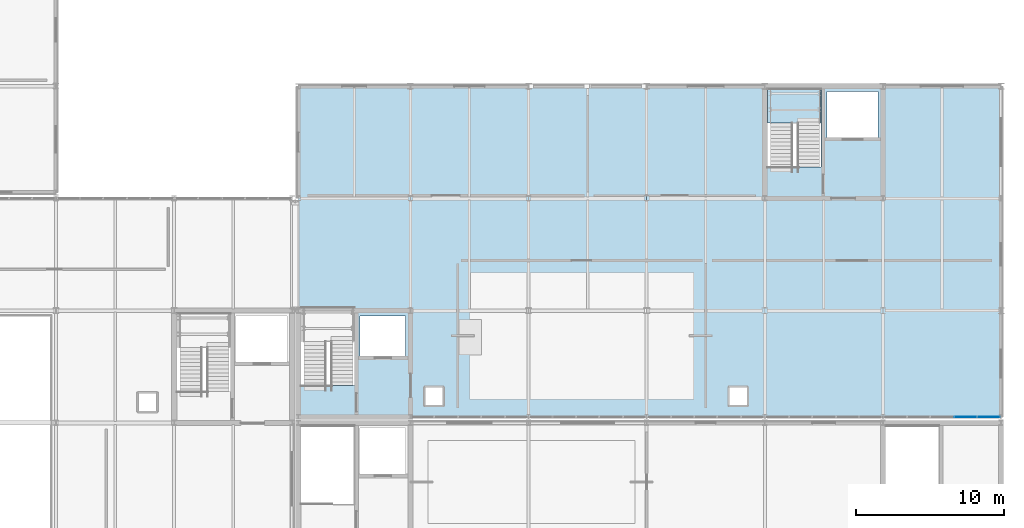
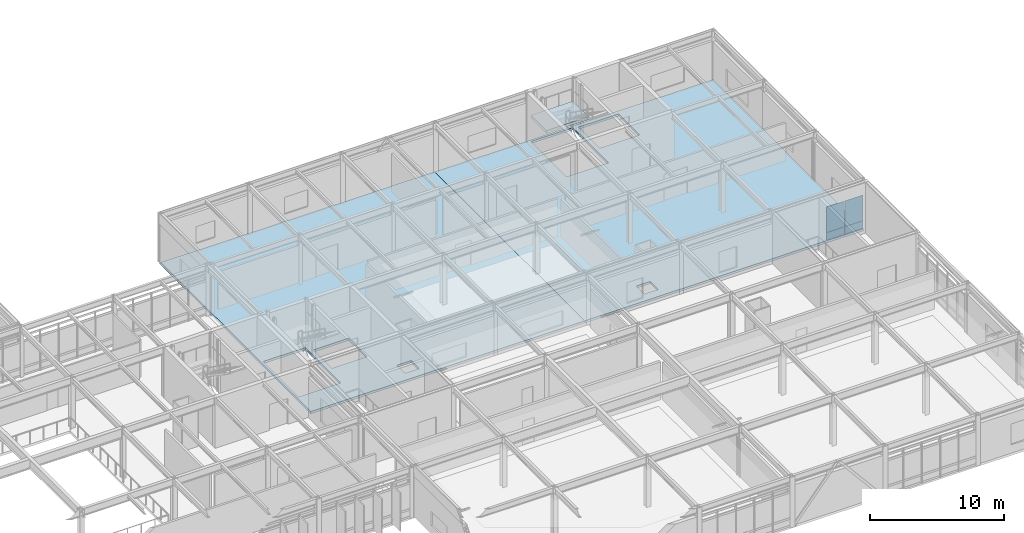
# One storey, part 75 of 104: 4 plates, 3 slabs, 2 elements without a shape of their own.
"""IFC4 building model written with IfcOpenShell, lengths in metres."""

from ifc_helpers import new_model, si_unit, direction, frame, origin, origin_2d, place, context, subcontext, project, spatial, polyline, rectangle, outline, extrude, material, layer, layer_set, type_object, element, aggregate, save


model = new_model("IFC4")

# Units and contexts
model_context = context("Model", 3, precision=1e-05, world=origin(), true_north=direction((0.0, 1.0)))
body_context = subcontext(model_context, "Body", "Model", "MODEL_VIEW")
ifc_project = project(units=[si_unit("LENGTHUNIT", "METRE"), si_unit("AREAUNIT", "SQUARE_METRE"), si_unit("VOLUMEUNIT", "CUBIC_METRE"), si_unit("PLANEANGLEUNIT", "RADIAN"), si_unit("MASSUNIT", "GRAM", prefix="KILO")], contexts=[model_context])

# Site, building, storey
site_placement = place(None, origin())
site = spatial("IfcSite", under=ifc_project, at=site_placement, CompositionType="ELEMENT")
building_placement = place(site_placement, origin())
building = spatial("IfcBuilding", under=site, at=building_placement, Name="Zulena Civic Courthouse", CompositionType="ELEMENT")
storey_placement = place(building_placement, frame((0.0, 0.0, 15.60009765625)))
storey = spatial("IfcBuildingStorey", under=building, at=storey_placement, Name="L03", CompositionType="ELEMENT", Elevation=15.60009765625)

# Curtain wall, plates
ifc_material_1 = material(Name="Double-silver low-E laminated solar-control glass", Category="glass")
curtain_wall_type = type_object("IfcCurtainWallType", Name="CW_7928x3635", PredefinedType="USERDEFINED", material=ifc_material_1)
curtain_wall_placement = place(storey_placement, origin())
curtain_wall = element("IfcCurtainWall", 1, at=curtain_wall_placement, inside=storey, type_object=curtain_wall_type, Name="cw:V3:L03:3:0", ObjectType="UNITISED CURTAIN WALL", PredefinedType="USERDEFINED")
ifc_material_2 = material(Name="Ceramic-fritted insulated spandrel glass", Category="glass")
ifc_layer_1 = layer(ifc_material_2, 0.0458984375)
ifc_layer_set_1 = layer_set([ifc_layer_1], Name="Ceramic-fritted insulated spandrel glass")
plate_type_1 = type_object("IfcPlateType", Name="CWPanel_Spandrel_46", PredefinedType="CURTAIN_PANEL", material=ifc_layer_set_1)
plate_1_placement = place(storey_placement, frame((171.171142578125, 30.800048828125, 0.06982421875), z_axis=(0.0, 0.0, 1.0), x_axis=(-1.0, 0.0, 0.0)))
plate_1 = element("IfcPlate", 2, at=plate_1_placement, type_object=plate_type_1, Name="cw:V3:L03:3:0:panS:0", PredefinedType="CURTAIN_PANEL", context=body_context, shape_type="SweptSolid", body=[
    extrude(rectangle(XDim=1.535888671875, YDim=0.0458984375, at=origin_2d()), origin(), (0.0, 0.0, 1.0), 0.669921875),
])
plate_2_placement = place(storey_placement, frame((169.585693359375, 30.800048828125, 0.06982421875), z_axis=(0.0, 0.0, 1.0), x_axis=(-1.0, 0.0, 0.0)))
plate_2 = element("IfcPlate", 3, at=plate_2_placement, type_object=plate_type_1, Name="cw:V3:L03:3:0:panS:1", PredefinedType="CURTAIN_PANEL", context=body_context, shape_type="SweptSolid", body=[
    extrude(rectangle(XDim=1.535888671875, YDim=0.0458984375, at=origin_2d()), origin(), (0.0, 0.0, 1.0), 0.669921875),
])
ifc_layer_2 = layer(ifc_material_1, 0.035888671875)
ifc_layer_set_2 = layer_set([ifc_layer_2], Name="Double-silver low-E laminated solar-control glass")
plate_type_2 = type_object("IfcPlateType", Name="CWPanel_Vision_36", PredefinedType="CURTAIN_PANEL", material=ifc_layer_set_2)
plate_3_placement = place(storey_placement, frame((171.171142578125, 30.800048828125, 0.760009765625), z_axis=(0.0, 0.0, 1.0), x_axis=(-1.0, 0.0, 0.0)))
plate_3 = element("IfcPlate", 4, at=plate_3_placement, type_object=plate_type_2, Name="cw:V3:L03:3:0:panV:0", PredefinedType="CURTAIN_PANEL", context=body_context, shape_type="SweptSolid", body=[
    extrude(rectangle(XDim=1.535888671875, YDim=0.035888671875, at=origin_2d()), origin(), (0.0, 0.0, 1.0), 2.31494140625),
])
plate_4_placement = place(storey_placement, frame((169.585693359375, 30.800048828125, 0.760009765625), z_axis=(0.0, 0.0, 1.0), x_axis=(-1.0, 0.0, 0.0)))
plate_4 = element("IfcPlate", 5, at=plate_4_placement, type_object=plate_type_2, Name="cw:V3:L03:3:0:panV:1", PredefinedType="CURTAIN_PANEL", context=body_context, shape_type="SweptSolid", body=[
    extrude(rectangle(XDim=1.535888671875, YDim=0.035888671875, at=origin_2d()), origin(), (0.0, 0.0, 1.0), 2.31494140625),
])
aggregate(curtain_wall, [plate_3, plate_1, plate_4, plate_2])

# Slabs
ifc_material_3 = material(Name="Concrete C35/45", Category="concrete")
ifc_layer_3 = layer(ifc_material_3, 0.2099609375)
ifc_layer_set_3 = layer_set([ifc_layer_3], Name="Concrete C35/45")
slab_type_1 = type_object("IfcSlabType", Name="FloorSlab_210", PredefinedType="FLOOR", material=ifc_layer_set_3)
slab_1_placement = place(storey_placement, frame((0.0, 0.0, -0.210205078125)))
element("IfcSlab", 6, at=slab_1_placement, inside=storey, type_object=slab_type_1, Name="slab:V3:L03_1", PredefinedType="FLOOR", context=body_context, shape_type="SweptSolid", body=[
    extrude(outline(polyline([(124.39990234375, 30.800048828125), (124.39990234375, 53.199951171875), (148.0, 53.199951171875), (148.0, 30.800048828125), (124.39990234375, 30.800048828125)]), holes=[polyline([(124.590087890625, 38.2099609375), (124.590087890625, 32.919921875), (128.2099609375, 32.919921875), (128.2099609375, 38.2099609375), (124.590087890625, 38.2099609375)]), polyline([(131.64990234375, 37.64990234375), (128.60009765625, 37.64990234375), (128.60009765625, 34.89990234375), (131.64990234375, 34.89990234375), (131.64990234375, 37.64990234375)]), polyline([(133.0, 32.800048828125), (133.0, 31.60009765625), (134.199951171875, 31.60009765625), (134.199951171875, 32.800048828125), (133.0, 32.800048828125)])]), origin(), (0.0, 0.0, 1.0), 0.210205078125),
])
slab_2_placement = place(storey_placement, frame((0.0, 0.0, -0.210205078125)))
element("IfcSlab", 7, at=slab_2_placement, inside=storey, type_object=slab_type_1, Name="slab:V3:L03_2", PredefinedType="FLOOR", context=body_context, shape_type="SweptSolid", body=[
    extrude(outline(polyline([(172.0, 30.800048828125), (148.0, 30.800048828125), (148.0, 53.199951171875), (172.0, 53.199951171875), (172.0, 30.800048828125)]), holes=[polyline([(159.81005859375, 47.719970703125), (159.81005859375, 53.010009765625), (156.18994140625, 53.010009765625), (156.18994140625, 47.719970703125), (159.81005859375, 47.719970703125)]), polyline([(160.199951171875, 49.699951171875), (163.64990234375, 49.699951171875), (163.64990234375, 52.85009765625), (160.199951171875, 52.85009765625), (160.199951171875, 49.699951171875)]), polyline([(154.800048828125, 32.800048828125), (153.60009765625, 32.800048828125), (153.60009765625, 31.60009765625), (154.800048828125, 31.60009765625), (154.800048828125, 32.800048828125)])]), origin(), (0.0, 0.0, 1.0), 0.210205078125),
])

# Stair, slab
ifc_material_4 = material(Name="Precast concrete C40/50", Category="concrete")
stair_type = type_object("IfcStairType", Name="HalfTurnStair_4800", PredefinedType="HALF_TURN_STAIR", material=ifc_material_4)
stair_placement = place(storey_placement, origin())
stair = element("IfcStair", 8, at=stair_placement, inside=storey, type_object=stair_type, Name="stair:K3B:L03", PredefinedType="HALF_TURN_STAIR")
ifc_layer_4 = layer(ifc_material_4, 0.280029296875)
ifc_layer_set_4 = layer_set([ifc_layer_4], Name="Precast concrete C40/50")
slab_type_2 = type_object("IfcSlabType", Name="StairLandingSlab_280", PredefinedType="LANDING", material=ifc_layer_set_4)
slab_3_placement = place(storey_placement, frame((0.0, 0.0, 2.119873046875)))
slab_3 = element("IfcSlab", 9, at=slab_3_placement, type_object=slab_type_2, Name="stair:K3B:L03:LND", PredefinedType="LANDING", context=body_context, shape_type="SweptSolid", body=[
    extrude(outline(polyline([(156.179931640625, 50.694580078125), (159.820068359375, 50.694580078125), (159.820068359375, 53.02001953125), (156.179931640625, 53.02001953125), (156.179931640625, 50.694580078125)])), origin(), (0.0, 0.0, 1.0), 0.280029296875),
])
aggregate(stair, [slab_3])

save(model, "model.ifc")
